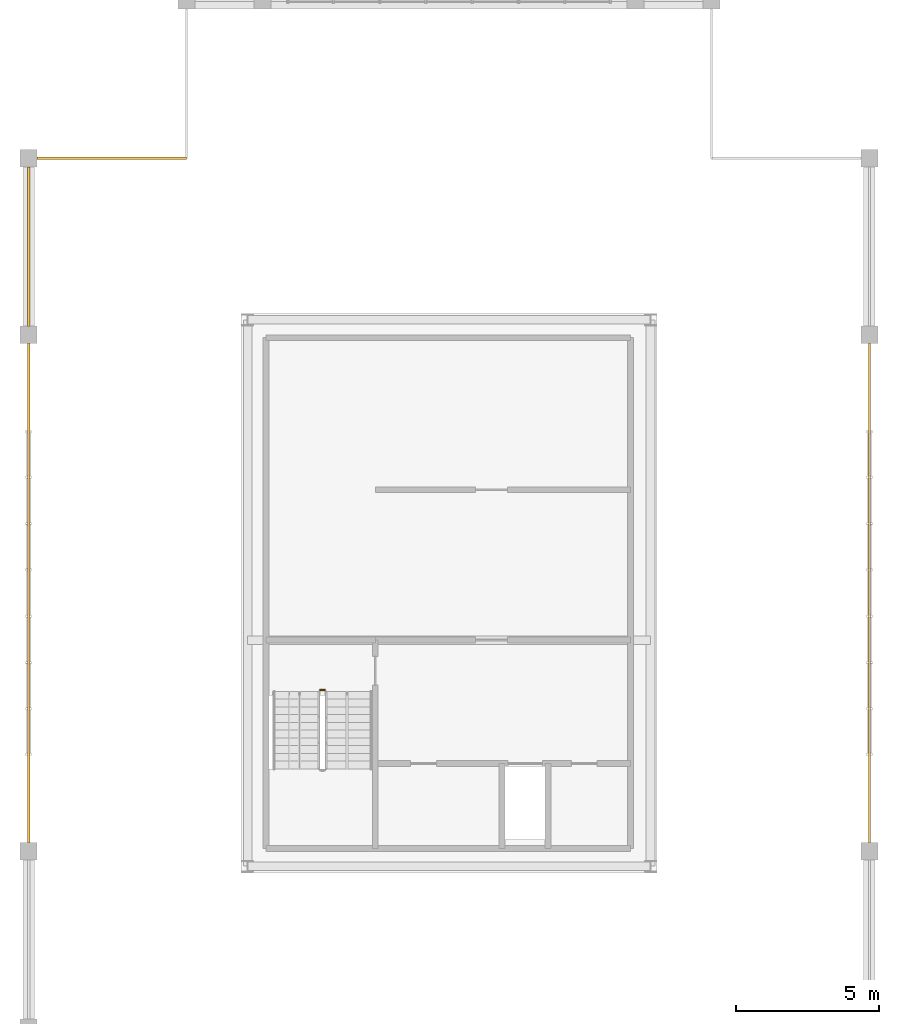
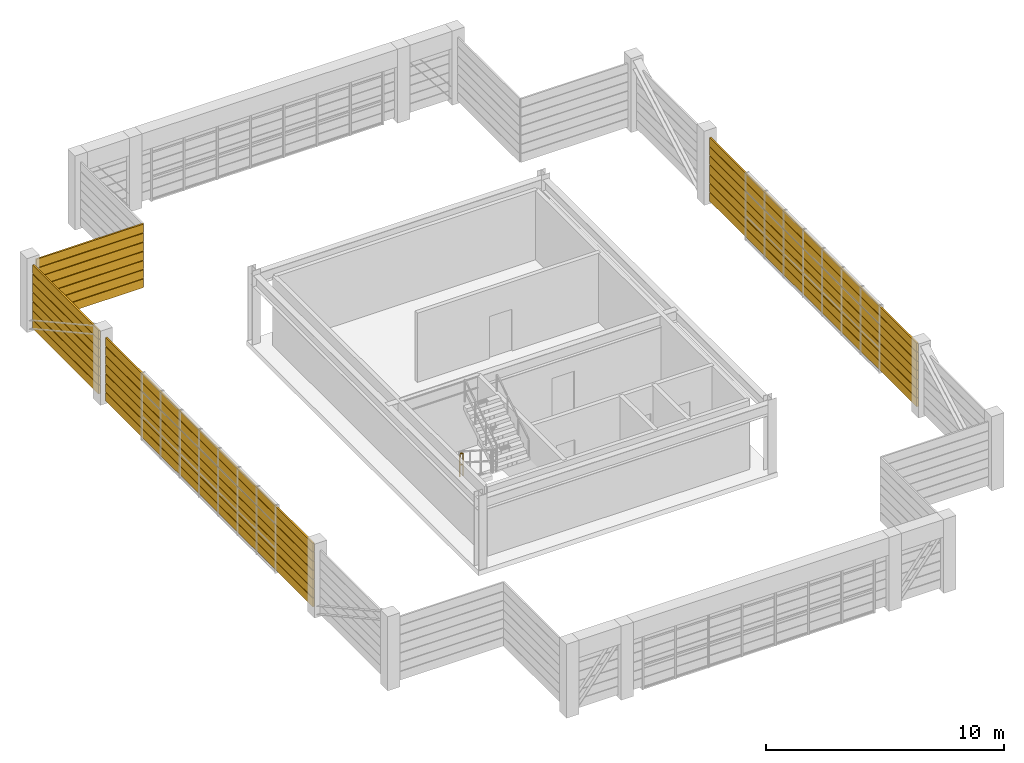
# One storey, part 20 of 21: 28 shading devices, 1 railing.
"""IFC4 building model written with IfcOpenShell, lengths in metres."""

from ifc_helpers import new_model, si_unit, direction, frame, origin, origin_2d, place, context, subcontext, project, spatial, rectangle, extrude, source, transform, mapped, material, material_profile, profile_set, type_object, element, save


model = new_model("IFC4")

# Units and contexts
model_context = context("Model", 3, precision=1e-05, world=origin(), true_north=direction((0.0, 1.0)))
body_context = subcontext(model_context, "Body", "Model", "MODEL_VIEW")
ifc_project = project(units=[si_unit("LENGTHUNIT", "METRE"), si_unit("AREAUNIT", "SQUARE_METRE"), si_unit("VOLUMEUNIT", "CUBIC_METRE"), si_unit("PLANEANGLEUNIT", "RADIAN"), si_unit("MASSUNIT", "GRAM", prefix="KILO")], contexts=[model_context])

# Site, building, storey
site_placement = place(None, origin())
site = spatial("IfcSite", under=ifc_project, at=site_placement, CompositionType="ELEMENT")
building_placement = place(site_placement, origin())
building = spatial("IfcBuilding", under=site, at=building_placement, Name="Saelheon Loggia Tower", CompositionType="ELEMENT")
storey_placement = place(building_placement, frame((0.0, 0.0, 267.39990234375)))
storey = spatial("IfcBuildingStorey", under=building, at=storey_placement, Name="CR5", CompositionType="ELEMENT", Elevation=267.39990234375)

# Railing
ifc_material_1 = material(Name="Galvanised Steel S275 Stairwell Guardrail", Category="steel")
railing_type = type_object("IfcRailingType", Name="Guard_StairWell_RL_STG", PredefinedType="GUARDRAIL", material=ifc_material_1)
railing_placement = place(storey_placement, frame((33.510009765625, 23.6201171875, 0.0)))
element("IfcRailing", 1, at=railing_placement, inside=storey, type_object=railing_type, Name="CR5 ST5 stair guard 4", PredefinedType="GUARDRAIL", context=body_context, shape_type="SweptSolid", body=[
    extrude(rectangle(XDim=0.048095703125, YDim=0.048095703125, at=origin_2d()), frame((0.033203125, 0.0, 1.17578125), z_axis=(1.0, 0.0, 0.0), x_axis=(0.0, 1.0, 0.0)), (0.0, 0.0, 1.0), 0.093505859375),
    extrude(rectangle(XDim=0.048095703125, YDim=0.048095703125, at=origin_2d()), frame((0.033203125, 0.0, 0.60009765625), z_axis=(1.0, 0.0, 0.0), x_axis=(0.0, 1.0, 0.0)), (0.0, 0.0, 1.0), 0.093505859375),
    extrude(rectangle(XDim=0.0419921875, YDim=0.0419921875, at=origin_2d()), origin(), (0.0, 0.0, 1.0), 1.14794921875),
    extrude(rectangle(XDim=0.0419921875, YDim=0.0419921875, at=origin_2d()), frame((0.159912109375, 0.0, 0.0)), (0.0, 0.0, 1.0), 1.14794921875),
])

# Shading devices
ifc_material_2 = material(Name="Bronze-Anodised Aluminium 6063-T6", Category="aluminium")
ifc_material_profile = material_profile(ifc_material_2, rectangle(XDim=0.080078125, YDim=0.43994140625, at=origin_2d()), Name="Louvre_CrownBlade_250")
ifc_profile_set = profile_set([ifc_material_profile], Name="Bronze-Anodised Aluminium 6063-T6")
shading_device_type = type_object("IfcShadingDeviceType", Name="Louvre_CrownBlade_250", PredefinedType="AWNING", material=ifc_profile_set)
shared_shape_1 = source(origin(), body_context, "Body", "SweptSolid", [
    extrude(rectangle(XDim=0.080078125, YDim=0.43994140625, at=origin_2d()), origin(), (0.0, 0.0, 1.0), 5.205078125),
])
for number, where, z_axis, x_axis, name in (
    (2, (28.85009765625, 42.14990234375, 0.35009765625), (-1.0, 0.0, 0.0), (0.0, -1.0, 0.0), "CR5 Crown Screen Horizontal Blade"),
    (3, (28.85009765625, 42.14990234375, 0.820068359375), (-1.0, 0.0, 0.0), (0.0, -1.0, 0.0), "CR5 Crown Screen Horizontal Blade"),
    (4, (28.85009765625, 42.14990234375, 1.2900390625), (-1.0, 0.0, 0.0), (0.0, -1.0, 0.0), "CR5 Crown Screen Horizontal Blade"),
    (5, (28.85009765625, 42.14990234375, 1.760009765625), (-1.0, 0.0, 0.0), (0.0, -1.0, 0.0), "CR5 Crown Screen Horizontal Blade"),
    (6, (28.85009765625, 42.14990234375, 2.22998046875), (-1.0, 0.0, 0.0), (0.0, -1.0, 0.0), "CR5 Crown Screen Horizontal Blade"),
    (7, (28.85009765625, 42.14990234375, 2.7001953125), (-1.0, 0.0, 0.0), (0.0, -1.0, 0.0), "CR5 Crown Screen Horizontal Blade"),
    (8, (28.85009765625, 42.14990234375, 3.170166015625), (-1.0, 0.0, 0.0), (0.0, -1.0, 0.0), "CR5 Crown Screen Horizontal Blade"),
):
    element("IfcShadingDevice", number, at=place(storey_placement, frame(where, z_axis=z_axis, x_axis=x_axis)), inside=storey, type_object=shading_device_type, Name=name, PredefinedType="AWNING", context=body_context, shape_type="MappedRepresentation", body=[
        mapped(shared_shape_1, transform((0.0, 0.0, 0.0), scale=1.0)),
    ])
shared_shape_2 = source(origin(), body_context, "Body", "SweptSolid", [
    extrude(rectangle(XDim=0.080078125, YDim=0.43994140625, at=origin_2d()), origin(), (0.0, 0.0, 1.0), 5.56005859375),
])
for number, where, z_axis, x_axis, name in (
    (9, (23.35009765625, 41.85498046875, 0.35009765625), (0.0, -1.0, 0.0), (1.0, 0.0, 0.0), "CR5 Crown Screen Horizontal Blade"),
    (10, (23.35009765625, 41.85498046875, 0.820068359375), (0.0, -1.0, 0.0), (1.0, 0.0, 0.0), "CR5 Crown Screen Horizontal Blade"),
    (11, (23.35009765625, 41.85498046875, 1.2900390625), (0.0, -1.0, 0.0), (1.0, 0.0, 0.0), "CR5 Crown Screen Horizontal Blade"),
    (12, (23.35009765625, 41.85498046875, 1.760009765625), (0.0, -1.0, 0.0), (1.0, 0.0, 0.0), "CR5 Crown Screen Horizontal Blade"),
    (13, (23.35009765625, 41.85498046875, 2.22998046875), (0.0, -1.0, 0.0), (1.0, 0.0, 0.0), "CR5 Crown Screen Horizontal Blade"),
    (14, (23.35009765625, 41.85498046875, 2.7001953125), (0.0, -1.0, 0.0), (1.0, 0.0, 0.0), "CR5 Crown Screen Horizontal Blade"),
    (15, (23.35009765625, 41.85498046875, 3.170166015625), (0.0, -1.0, 0.0), (1.0, 0.0, 0.0), "CR5 Crown Screen Horizontal Blade"),
):
    element("IfcShadingDevice", number, at=place(storey_placement, frame(where, z_axis=z_axis, x_axis=x_axis)), inside=storey, type_object=shading_device_type, Name=name, PredefinedType="AWNING", context=body_context, shape_type="MappedRepresentation", body=[
        mapped(shared_shape_2, transform((0.0, 0.0, 0.0), scale=1.0)),
    ])
shared_shape_3 = source(origin(), body_context, "Body", "SweptSolid", [
    extrude(rectangle(XDim=0.080078125, YDim=0.43994140625, at=origin_2d()), origin(), (0.0, 0.0, 1.0), 17.41015625),
])
for number, where, z_axis, x_axis, name in (
    (16, (52.64990234375, 18.294921875, 0.35009765625), (0.0, 1.0, 0.0), (-1.0, 0.0, 0.0), "CR5 Crown Screen Horizontal Blade"),
    (17, (52.64990234375, 18.294921875, 0.820068359375), (0.0, 1.0, 0.0), (-1.0, 0.0, 0.0), "CR5 Crown Screen Horizontal Blade"),
    (18, (52.64990234375, 18.294921875, 1.2900390625), (0.0, 1.0, 0.0), (-1.0, 0.0, 0.0), "CR5 Crown Screen Horizontal Blade"),
    (19, (52.64990234375, 18.294921875, 1.760009765625), (0.0, 1.0, 0.0), (-1.0, 0.0, 0.0), "CR5 Crown Screen Horizontal Blade"),
    (20, (52.64990234375, 18.294921875, 2.22998046875), (0.0, 1.0, 0.0), (-1.0, 0.0, 0.0), "CR5 Crown Screen Horizontal Blade"),
    (21, (52.64990234375, 18.294921875, 2.7001953125), (0.0, 1.0, 0.0), (-1.0, 0.0, 0.0), "CR5 Crown Screen Horizontal Blade"),
    (22, (52.64990234375, 18.294921875, 3.170166015625), (0.0, 1.0, 0.0), (-1.0, 0.0, 0.0), "CR5 Crown Screen Horizontal Blade"),
    (23, (23.35009765625, 35.705078125, 0.35009765625), (0.0, -1.0, 0.0), (1.0, 0.0, 0.0), "CR5 Crown Screen Horizontal Blade"),
    (24, (23.35009765625, 35.705078125, 0.820068359375), (0.0, -1.0, 0.0), (1.0, 0.0, 0.0), "CR5 Crown Screen Horizontal Blade"),
    (25, (23.35009765625, 35.705078125, 1.2900390625), (0.0, -1.0, 0.0), (1.0, 0.0, 0.0), "CR5 Crown Screen Horizontal Blade"),
    (26, (23.35009765625, 35.705078125, 1.760009765625), (0.0, -1.0, 0.0), (1.0, 0.0, 0.0), "CR5 Crown Screen Horizontal Blade"),
    (27, (23.35009765625, 35.705078125, 2.22998046875), (0.0, -1.0, 0.0), (1.0, 0.0, 0.0), "CR5 Crown Screen Horizontal Blade"),
    (28, (23.35009765625, 35.705078125, 2.7001953125), (0.0, -1.0, 0.0), (1.0, 0.0, 0.0), "CR5 Crown Screen Horizontal Blade"),
    (29, (23.35009765625, 35.705078125, 3.170166015625), (0.0, -1.0, 0.0), (1.0, 0.0, 0.0), "CR5 Crown Screen Horizontal Blade"),
):
    element("IfcShadingDevice", number, at=place(storey_placement, frame(where, z_axis=z_axis, x_axis=x_axis)), inside=storey, type_object=shading_device_type, Name=name, PredefinedType="AWNING", context=body_context, shape_type="MappedRepresentation", body=[
        mapped(shared_shape_3, transform((0.0, 0.0, 0.0), scale=1.0)),
    ])

save(model, "model.ifc")
